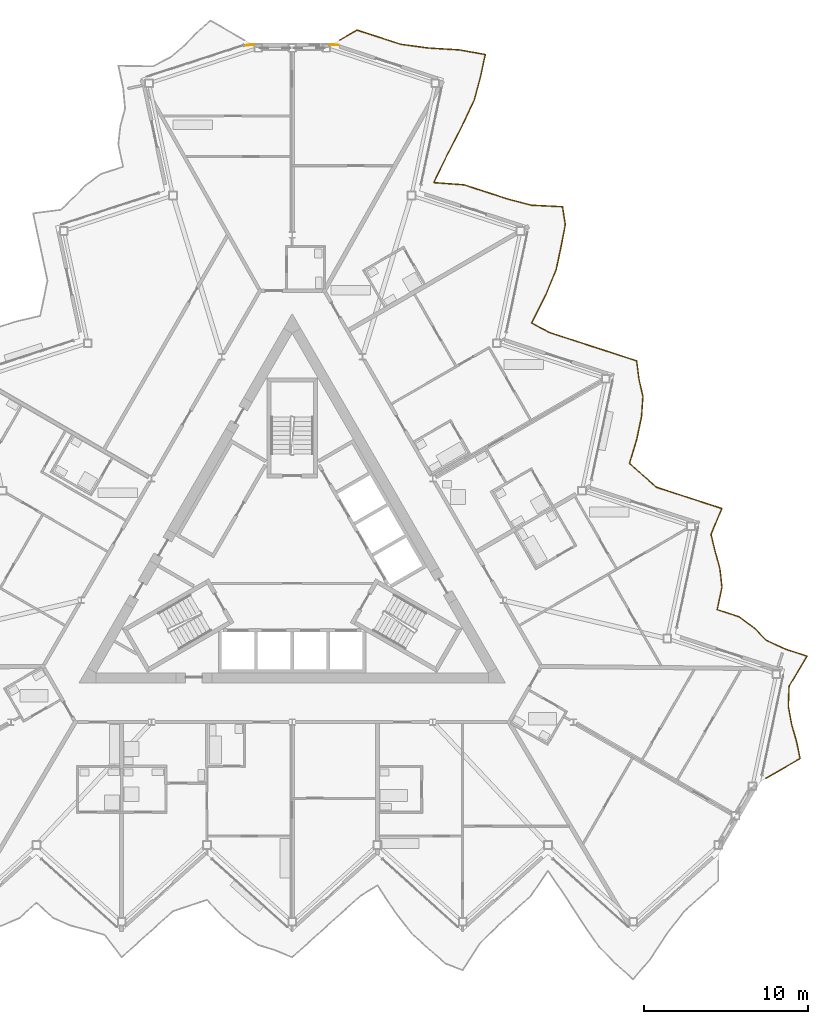
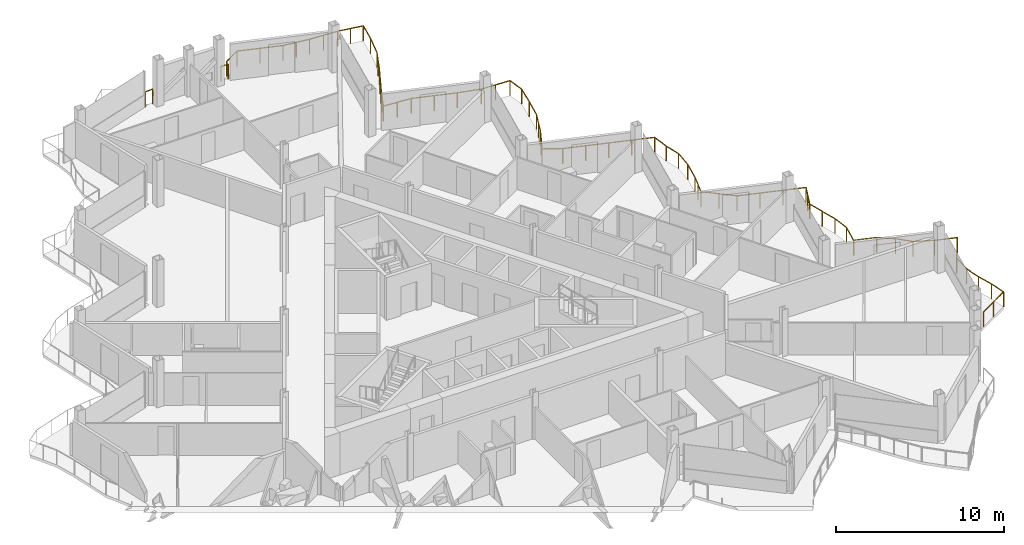
# One storey, part 24 of 26: 3 railings.
"""IFC4 building model written with IfcOpenShell, lengths in metres."""

from ifc_helpers import new_model, si_unit, direction, frame, origin, origin_2d, place, context, subcontext, project, spatial, circle, extrude, material, type_object, element, save


model = new_model("IFC4")

# Units and contexts
model_context = context("Model", 3, precision=1e-05, world=origin(), true_north=direction((0.0, 1.0)))
body_context = subcontext(model_context, "Body", "Model", "MODEL_VIEW")
ifc_project = project(units=[si_unit("LENGTHUNIT", "METRE"), si_unit("AREAUNIT", "SQUARE_METRE"), si_unit("VOLUMEUNIT", "CUBIC_METRE"), si_unit("PLANEANGLEUNIT", "RADIAN"), si_unit("MASSUNIT", "GRAM", prefix="KILO")], contexts=[model_context])

# Site, building, storey
site_placement = place(None, origin())
site = spatial("IfcSite", under=ifc_project, at=site_placement, CompositionType="ELEMENT")
building_placement = place(site_placement, origin())
building = spatial("IfcBuilding", under=site, at=building_placement, Name="Cormorant Prow Tower", CompositionType="ELEMENT")
storey_placement = place(building_placement, frame((0.0, 0.0, 371.199951171875)))
storey = spatial("IfcBuildingStorey", under=building, at=storey_placement, Name="L83", CompositionType="ELEMENT", Elevation=371.199951171875)

# Railings
ifc_material_1 = material(Name="Aluminium 6063-T6", Category="aluminium")
railing_type_1 = type_object("IfcRailingType", Name="Balcony guard 1100", PredefinedType="GUARDRAIL", material=ifc_material_1)
railing_1_placement = place(storey_placement, frame((28.9033203125, -13.3349609375, 0.0)))
element("IfcRailing", 1, at=railing_1_placement, inside=storey, type_object=railing_type_1, Name="Balcony guard ENE", PredefinedType="GUARDRAIL", context=body_context, shape_type="SweptSolid", body=[
    extrude(circle(Radius=0.02392578125, at=origin_2d()), frame((0.0, 0.0, 1.076171875), z_axis=(0.866028295127, 0.499994992015, 0.0), x_axis=(-0.499994992015, 0.866028295127, 0.0)), (0.0, 0.0, 1.0), 2.40380859375),
    extrude(circle(Radius=0.02392578125, at=origin_2d()), frame((2.081787109375, 1.201904296875, 1.076171875), z_axis=(-0.202325602869, 0.979318309041, 0.0), x_axis=(-0.979318309041, -0.202325602869, 0.0)), (0.0, 0.0, 1.0), 1.095703125),
    extrude(circle(Radius=0.02392578125, at=origin_2d()), frame((1.860107421875, 2.27490234375, 1.076171875), z_axis=(-0.276104892349, 0.961127508929, 0.0), x_axis=(-0.961127508929, -0.276104892349, 0.0)), (0.0, 0.0, 1.0), 1.07177734375),
    extrude(circle(Radius=0.02392578125, at=origin_2d()), frame((1.564208984375, 3.304931640625, 1.076171875), z_axis=(-0.179041046947, 0.983841604888, 0.0), x_axis=(-0.983841604888, -0.179041046947, 0.0)), (0.0, 0.0, 1.0), 1.1044921875),
    extrude(circle(Radius=0.02392578125, at=origin_2d()), frame((1.366455078125, 4.3916015625, 1.076171875), z_axis=(0.036393784558, 0.999337526787, 0.0), x_axis=(-0.999337526787, 0.036393784558, 0.0)), (0.0, 0.0, 1.0), 1.2275390625),
    extrude(circle(Radius=0.02392578125, at=origin_2d()), frame((1.4111328125, 5.618408203125, 1.076171875), z_axis=(0.513992423675, 0.857794723932, 0.0), x_axis=(-0.857794723932, 0.513992423675, 0.0)), (0.0, 0.0, 1.0), 2.140380859375),
    extrude(circle(Radius=0.02392578125, at=origin_2d()), frame((2.51123046875, 7.454345703125, 1.076171875), z_axis=(-0.951012270488, 0.309153135811, 0.0), x_axis=(-0.309153135811, -0.951012270488, 0.0)), (0.0, 0.0, 1.0), 1.3994140625),
    extrude(circle(Radius=0.02392578125, at=origin_2d()), frame((1.180419921875, 7.886962890625, 1.076171875), z_axis=(-0.908513727813, 0.417855006402, 0.0), x_axis=(-0.417855006402, -0.908513727813, 0.0)), (0.0, 0.0, 1.0), 1.2744140625),
    extrude(circle(Radius=0.02392578125, at=origin_2d()), frame((0.022705078125, 8.41943359375, 1.076171875), z_axis=(-0.702205596006, 0.71197422772, 0.0), x_axis=(-0.71197422772, -0.702205596006, 0.0)), (0.0, 0.0, 1.0), 1.07470703125),
    extrude(circle(Radius=0.02392578125, at=origin_2d()), frame((-0.73193359375, 9.1845703125, 1.076171875), z_axis=(-0.803679218866, 0.595062780859, 0.0), x_axis=(-0.595062780859, -0.803679218866, 0.0)), (0.0, 0.0, 1.0), 1.134033203125),
    extrude(circle(Radius=0.02392578125, at=origin_2d()), frame((-1.643310546875, 9.859375, 1.076171875), z_axis=(-0.951080208938, 0.308944066403, 0.0), x_axis=(-0.308944066403, -0.951080208938, 0.0)), (0.0, 0.0, 1.0), 1.3994140625),
    extrude(circle(Radius=0.02392578125, at=origin_2d()), frame((-2.974365234375, 10.291748046875, 1.076171875), z_axis=(0.207944297815, 0.978140669335, 0.0), x_axis=(-0.978140669335, 0.207944297815, 0.0)), (0.0, 0.0, 1.0), 1.3994140625),
    extrude(circle(Radius=0.02392578125, at=origin_2d()), frame((-2.683349609375, 11.66064453125, 1.076171875), z_axis=(-0.109629324319, 0.993972540491, 0.0), x_axis=(-0.993972540491, -0.109629324319, 0.0)), (0.0, 0.0, 1.0), 1.1357421875),
    extrude(circle(Radius=0.02392578125, at=origin_2d()), frame((-2.807861328125, 12.78955078125, 1.076171875), z_axis=(-0.265019247186, 0.964243122154, 0.0), x_axis=(-0.964243122154, -0.265019247186, 0.0)), (0.0, 0.0, 1.0), 1.074951171875),
    extrude(circle(Radius=0.02392578125, at=origin_2d()), frame((-3.0927734375, 13.826171875, 1.076171875), z_axis=(-0.240942814377, 0.970539314093, 0.0), x_axis=(-0.970539314093, -0.240942814377, 0.0)), (0.0, 0.0, 1.0), 1.082275390625),
    extrude(circle(Radius=0.02392578125, at=origin_2d()), frame((-3.353515625, 14.87646484375, 1.076171875), z_axis=(0.386843594076, 0.922145343057, 0.0), x_axis=(-0.922145343057, 0.386843594076, 0.0)), (0.0, 0.0, 1.0), 1.718505859375),
    extrude(circle(Radius=0.02392578125, at=origin_2d()), frame((-2.688720703125, 16.461181640625, 1.076171875), z_axis=(-0.951063554534, 0.308995332064, 0.0), x_axis=(-0.308995332064, -0.951063554534, 0.0)), (0.0, 0.0, 1.0), 1.399169921875),
    extrude(circle(Radius=0.02392578125, at=origin_2d()), frame((-4.01953125, 16.8935546875, 1.076171875), z_axis=(-0.951080208938, 0.308944066403, 0.0), x_axis=(-0.308944066403, -0.951080208938, 0.0)), (0.0, 0.0, 1.0), 1.3994140625),
    extrude(circle(Radius=0.02392578125, at=origin_2d()), frame((-5.3505859375, 17.325927734375, 1.076171875), z_axis=(-0.951028941009, 0.309101849499, 0.0), x_axis=(-0.309101849499, -0.951028941009, 0.0)), (0.0, 0.0, 1.0), 1.399658203125),
    extrude(circle(Radius=0.02392578125, at=origin_2d()), frame((-6.681640625, 17.758544921875, 1.076171875), z_axis=(-0.749896296712, 0.661555397663, 0.0), x_axis=(-0.661555397663, -0.749896296712, 0.0)), (0.0, 0.0, 1.0), 1.09716796875),
    extrude(circle(Radius=0.02392578125, at=origin_2d()), frame((-7.50439453125, 18.484375, 1.076171875), z_axis=(-0.746202638574, 0.665718876242, 0.0), x_axis=(-0.665718876242, -0.746202638574, 0.0)), (0.0, 0.0, 1.0), 1.094970703125),
    extrude(circle(Radius=0.02392578125, at=origin_2d()), frame((-8.321533203125, 19.21337890625, 1.076171875), z_axis=(0.288601434171, 0.957449326176, 0.0), x_axis=(-0.957449326176, 0.288601434171, 0.0)), (0.0, 0.0, 1.0), 1.5185546875),
    extrude(circle(Radius=0.02392578125, at=origin_2d()), frame((-7.88330078125, 20.667236328125, 1.076171875), z_axis=(0.20777738218, 0.978176139279, 0.0), x_axis=(-0.978176139279, 0.20777738218, 0.0)), (0.0, 0.0, 1.0), 1.3994140625),
    extrude(circle(Radius=0.02392578125, at=origin_2d()), frame((-7.592529296875, 22.0361328125, 1.076171875), z_axis=(0.0707909509, 0.99749117353, 0.0), x_axis=(-0.99749117353, 0.0707909509, 0.0)), (0.0, 0.0, 1.0), 1.25537109375),
    extrude(circle(Radius=0.02392578125, at=origin_2d()), frame((-7.503662109375, 23.288330078125, 1.076171875), z_axis=(-0.221795575356, 0.975093186702, 0.0), x_axis=(-0.975093186702, -0.221795575356, 0.0)), (0.0, 0.0, 1.0), 1.088623046875),
    extrude(circle(Radius=0.02392578125, at=origin_2d()), frame((-7.7451171875, 24.349853515625, 1.076171875), z_axis=(-0.127366491719, 0.991855723776, 0.0), x_axis=(-0.991855723776, -0.127366491719, 0.0)), (0.0, 0.0, 1.0), 1.127197265625),
    extrude(circle(Radius=0.02392578125, at=origin_2d()), frame((-7.888671875, 25.4677734375, 1.076171875), z_axis=(-0.951080208938, 0.308944066403, 0.0), x_axis=(-0.308944066403, -0.951080208938, 0.0)), (0.0, 0.0, 1.0), 1.3994140625),
    extrude(circle(Radius=0.02392578125, at=origin_2d()), frame((-9.2197265625, 25.900146484375, 1.076171875), z_axis=(-0.951012270488, 0.309153135811, 0.0), x_axis=(-0.309153135811, -0.951012270488, 0.0)), (0.0, 0.0, 1.0), 1.3994140625),
    extrude(circle(Radius=0.02392578125, at=origin_2d()), frame((-10.550537109375, 26.332763671875, 1.076171875), z_axis=(-0.951080208938, 0.308944066403, 0.0), x_axis=(-0.308944066403, -0.951080208938, 0.0)), (0.0, 0.0, 1.0), 1.3994140625),
    extrude(circle(Radius=0.02392578125, at=origin_2d()), frame((-11.881591796875, 26.76513671875, 1.076171875), z_axis=(-0.951063554534, 0.308995332064, 0.0), x_axis=(-0.308995332064, -0.951063554534, 0.0)), (0.0, 0.0, 1.0), 1.399169921875),
    extrude(circle(Radius=0.02392578125, at=origin_2d()), frame((-13.21240234375, 27.197509765625, 1.076171875), z_axis=(-0.88112376945, 0.472885718658, 0.0), x_axis=(-0.472885718658, -0.88112376945, 0.0)), (0.0, 0.0, 1.0), 1.2236328125),
    extrude(circle(Radius=0.02392578125, at=origin_2d()), frame((-14.29052734375, 27.776123046875, 1.076171875), z_axis=(0.451217643657, 0.892413938737, 0.0), x_axis=(-0.892413938737, 0.451217643657, 0.0)), (0.0, 0.0, 1.0), 1.900146484375),
    extrude(circle(Radius=0.02392578125, at=origin_2d()), frame((-13.43310546875, 29.471923828125, 1.076171875), z_axis=(0.377635149008, 0.925954477409, 0.0), x_axis=(-0.925954477409, 0.377635149008, 0.0)), (0.0, 0.0, 1.0), 1.696533203125),
    extrude(circle(Radius=0.02392578125, at=origin_2d()), frame((-12.79248046875, 31.042724609375, 1.076171875), z_axis=(0.207944297815, 0.978140669335, 0.0), x_axis=(-0.978140669335, 0.207944297815, 0.0)), (0.0, 0.0, 1.0), 1.3994140625),
    extrude(circle(Radius=0.02392578125, at=origin_2d()), frame((-12.50146484375, 32.41162109375, 1.076171875), z_axis=(0.190181724956, 0.981748904503, 0.0), x_axis=(-0.981748904503, 0.190181724956, 0.0)), (0.0, 0.0, 1.0), 1.37744140625),
    extrude(circle(Radius=0.02392578125, at=origin_2d()), frame((-12.239501953125, 33.763916015625, 1.076171875), z_axis=(-0.15020043655, 0.988655566343, 0.0), x_axis=(-0.988655566343, -0.15020043655, 0.0)), (0.0, 0.0, 1.0), 1.11669921875),
    extrude(circle(Radius=0.02392578125, at=origin_2d()), frame((-12.4072265625, 34.867919921875, 1.076171875), z_axis=(-0.998745657761, 0.050071060531, 0.0), x_axis=(-0.050071060531, -0.998745657761, 0.0)), (0.0, 0.0, 1.0), 1.916259765625),
    extrude(circle(Radius=0.02392578125, at=origin_2d()), frame((-14.321044921875, 34.9638671875, 1.076171875), z_axis=(-0.96719850901, 0.254021739559, 0.0), x_axis=(-0.254021739559, -0.96719850901, 0.0)), (0.0, 0.0, 1.0), 1.478271484375),
    extrude(circle(Radius=0.02392578125, at=origin_2d()), frame((-15.750732421875, 35.33935546875, 1.076171875), z_axis=(-0.951063554534, 0.308995332064, 0.0), x_axis=(-0.308995332064, -0.951063554534, 0.0)), (0.0, 0.0, 1.0), 1.399169921875),
    extrude(circle(Radius=0.02392578125, at=origin_2d()), frame((-17.08154296875, 35.771728515625, 1.076171875), z_axis=(-0.951028941009, 0.309101849499, 0.0), x_axis=(-0.309101849499, -0.951028941009, 0.0)), (0.0, 0.0, 1.0), 1.399658203125),
    extrude(circle(Radius=0.02392578125, at=origin_2d()), frame((-18.41259765625, 36.204345703125, 1.076171875), z_axis=(-0.997259818813, 0.073978738712, 0.0), x_axis=(-0.073978738712, -0.997259818813, 0.0)), (0.0, 0.0, 1.0), 1.84814453125),
    extrude(circle(Radius=0.02392578125, at=origin_2d()), frame((-20.255615234375, 36.341064453125, 1.076171875), z_axis=(0.433887187324, 0.900967207326, 0.0), x_axis=(-0.900967207326, 0.433887187324, 0.0)), (0.0, 0.0, 1.0), 1.84619140625),
    extrude(circle(Radius=0.02392578125, at=origin_2d()), frame((-19.45458984375, 38.00439453125, 1.076171875), z_axis=(0.457304922398, 0.889309961684, 0.0), x_axis=(-0.889309961684, 0.457304922398, 0.0)), (0.0, 0.0, 1.0), 1.92041015625),
    extrude(circle(Radius=0.02392578125, at=origin_2d()), frame((-18.576416015625, 39.712158203125, 1.076171875), z_axis=(0.427828029535, 0.903860153533, 0.0), x_axis=(-0.903860153533, 0.427828029535, 0.0)), (0.0, 0.0, 1.0), 1.828369140625),
    extrude(circle(Radius=0.02392578125, at=origin_2d()), frame((-17.794189453125, 41.36474609375, 1.076171875), z_axis=(0.260466628083, 0.965482851042, 0.0), x_axis=(-0.965482851042, 0.260466628083, 0.0)), (0.0, 0.0, 1.0), 1.473388671875),
    extrude(circle(Radius=0.02392578125, at=origin_2d()), frame((-17.410400390625, 42.787353515625, 1.076171875), z_axis=(0.207812845083, 0.978168605823, 0.0), x_axis=(-0.978168605823, 0.207812845083, 0.0)), (0.0, 0.0, 1.0), 1.399169921875),
    extrude(circle(Radius=0.02392578125, at=origin_2d()), frame((-17.11962890625, 44.156005859375, 1.076171875), z_axis=(-0.984969623466, 0.172727649348, 0.0), x_axis=(-0.172727649348, -0.984969623466, 0.0)), (0.0, 0.0, 1.0), 1.619873046875),
    extrude(circle(Radius=0.02392578125, at=origin_2d()), frame((-18.715087890625, 44.435791015625, 1.076171875), z_axis=(-0.998119075428, 0.061305067222, 0.0), x_axis=(-0.061305067222, -0.998119075428, 0.0)), (0.0, 0.0, 1.0), 1.8837890625),
    extrude(circle(Radius=0.02392578125, at=origin_2d()), frame((-20.59521484375, 44.55126953125, 1.076171875), z_axis=(-0.991040222336, 0.133563758974, 0.0), x_axis=(-0.133563758974, -0.991040222336, 0.0)), (0.0, 0.0, 1.0), 1.70166015625),
    extrude(circle(Radius=0.02392578125, at=origin_2d()), frame((-22.28173828125, 44.778564453125, 1.076171875), z_axis=(-0.951063554534, 0.308995332064, 0.0), x_axis=(-0.308995332064, -0.951063554534, 0.0)), (0.0, 0.0, 1.0), 1.399169921875),
    extrude(circle(Radius=0.02392578125, at=origin_2d()), frame((-23.612548828125, 45.2109375, 1.076171875), z_axis=(-0.951080208938, 0.308944066403, 0.0), x_axis=(-0.308944066403, -0.951080208938, 0.0)), (0.0, 0.0, 1.0), 1.3994140625),
    extrude(circle(Radius=0.02392578125, at=origin_2d()), frame((-24.943603515625, 45.643310546875, 1.076171875), z_axis=(-0.866042269935, -0.499970785833, 0.0), x_axis=(0.499970785833, -0.866042269935, 0.0)), (0.0, 0.0, 1.0), 1.2197265625),
    extrude(circle(Radius=0.02099609375, at=origin_2d()), origin(), (0.0, 0.0, 1.0), 1.052001953125),
    extrude(circle(Radius=0.02099609375, at=origin_2d()), frame((1.041015625, 0.60107421875, 0.0)), (0.0, 0.0, 1.0), 1.052001953125),
    extrude(circle(Radius=0.02099609375, at=origin_2d()), frame((2.081787109375, 1.201904296875, 0.0)), (0.0, 0.0, 1.0), 1.052001953125),
    extrude(circle(Radius=0.02099609375, at=origin_2d()), frame((1.860107421875, 2.27490234375, 0.0)), (0.0, 0.0, 1.0), 1.052001953125),
    extrude(circle(Radius=0.02099609375, at=origin_2d()), frame((1.564208984375, 3.304931640625, 0.0)), (0.0, 0.0, 1.0), 1.052001953125),
    extrude(circle(Radius=0.02099609375, at=origin_2d()), frame((1.366455078125, 4.3916015625, 0.0)), (0.0, 0.0, 1.0), 1.052001953125),
    extrude(circle(Radius=0.02099609375, at=origin_2d()), frame((1.4111328125, 5.618408203125, 0.0)), (0.0, 0.0, 1.0), 1.052001953125),
    extrude(circle(Radius=0.02099609375, at=origin_2d()), frame((1.961181640625, 6.536376953125, 0.0)), (0.0, 0.0, 1.0), 1.052001953125),
    extrude(circle(Radius=0.02099609375, at=origin_2d()), frame((2.51123046875, 7.454345703125, 0.0)), (0.0, 0.0, 1.0), 1.052001953125),
    extrude(circle(Radius=0.02099609375, at=origin_2d()), frame((1.180419921875, 7.886962890625, 0.0)), (0.0, 0.0, 1.0), 1.052001953125),
    extrude(circle(Radius=0.02099609375, at=origin_2d()), frame((0.022705078125, 8.41943359375, 0.0)), (0.0, 0.0, 1.0), 1.052001953125),
    extrude(circle(Radius=0.02099609375, at=origin_2d()), frame((-0.73193359375, 9.1845703125, 0.0)), (0.0, 0.0, 1.0), 1.052001953125),
    extrude(circle(Radius=0.02099609375, at=origin_2d()), frame((-1.643310546875, 9.859375, 0.0)), (0.0, 0.0, 1.0), 1.052001953125),
    extrude(circle(Radius=0.02099609375, at=origin_2d()), frame((-2.974365234375, 10.291748046875, 0.0)), (0.0, 0.0, 1.0), 1.052001953125),
    extrude(circle(Radius=0.02099609375, at=origin_2d()), frame((-2.683349609375, 11.66064453125, 0.0)), (0.0, 0.0, 1.0), 1.052001953125),
    extrude(circle(Radius=0.02099609375, at=origin_2d()), frame((-2.807861328125, 12.78955078125, 0.0)), (0.0, 0.0, 1.0), 1.052001953125),
    extrude(circle(Radius=0.02099609375, at=origin_2d()), frame((-3.0927734375, 13.826171875, 0.0)), (0.0, 0.0, 1.0), 1.052001953125),
    extrude(circle(Radius=0.02099609375, at=origin_2d()), frame((-3.353515625, 14.87646484375, 0.0)), (0.0, 0.0, 1.0), 1.052001953125),
    extrude(circle(Radius=0.02099609375, at=origin_2d()), frame((-3.02099609375, 15.6689453125, 0.0)), (0.0, 0.0, 1.0), 1.052001953125),
    extrude(circle(Radius=0.02099609375, at=origin_2d()), frame((-2.688720703125, 16.461181640625, 0.0)), (0.0, 0.0, 1.0), 1.052001953125),
    extrude(circle(Radius=0.02099609375, at=origin_2d()), frame((-4.01953125, 16.8935546875, 0.0)), (0.0, 0.0, 1.0), 1.052001953125),
    extrude(circle(Radius=0.02099609375, at=origin_2d()), frame((-5.3505859375, 17.325927734375, 0.0)), (0.0, 0.0, 1.0), 1.052001953125),
    extrude(circle(Radius=0.02099609375, at=origin_2d()), frame((-6.681640625, 17.758544921875, 0.0)), (0.0, 0.0, 1.0), 1.052001953125),
    extrude(circle(Radius=0.02099609375, at=origin_2d()), frame((-7.50439453125, 18.484375, 0.0)), (0.0, 0.0, 1.0), 1.052001953125),
    extrude(circle(Radius=0.02099609375, at=origin_2d()), frame((-8.321533203125, 19.21337890625, 0.0)), (0.0, 0.0, 1.0), 1.052001953125),
    extrude(circle(Radius=0.02099609375, at=origin_2d()), frame((-8.1025390625, 19.9404296875, 0.0)), (0.0, 0.0, 1.0), 1.052001953125),
    extrude(circle(Radius=0.02099609375, at=origin_2d()), frame((-7.88330078125, 20.667236328125, 0.0)), (0.0, 0.0, 1.0), 1.052001953125),
    extrude(circle(Radius=0.02099609375, at=origin_2d()), frame((-7.592529296875, 22.0361328125, 0.0)), (0.0, 0.0, 1.0), 1.052001953125),
    extrude(circle(Radius=0.02099609375, at=origin_2d()), frame((-7.503662109375, 23.288330078125, 0.0)), (0.0, 0.0, 1.0), 1.052001953125),
    extrude(circle(Radius=0.02099609375, at=origin_2d()), frame((-7.7451171875, 24.349853515625, 0.0)), (0.0, 0.0, 1.0), 1.052001953125),
    extrude(circle(Radius=0.02099609375, at=origin_2d()), frame((-7.888671875, 25.4677734375, 0.0)), (0.0, 0.0, 1.0), 1.052001953125),
    extrude(circle(Radius=0.02099609375, at=origin_2d()), frame((-9.2197265625, 25.900146484375, 0.0)), (0.0, 0.0, 1.0), 1.052001953125),
    extrude(circle(Radius=0.02099609375, at=origin_2d()), frame((-10.550537109375, 26.332763671875, 0.0)), (0.0, 0.0, 1.0), 1.052001953125),
    extrude(circle(Radius=0.02099609375, at=origin_2d()), frame((-11.881591796875, 26.76513671875, 0.0)), (0.0, 0.0, 1.0), 1.052001953125),
    extrude(circle(Radius=0.02099609375, at=origin_2d()), frame((-13.21240234375, 27.197509765625, 0.0)), (0.0, 0.0, 1.0), 1.052001953125),
    extrude(circle(Radius=0.02099609375, at=origin_2d()), frame((-14.29052734375, 27.776123046875, 0.0)), (0.0, 0.0, 1.0), 1.052001953125),
    extrude(circle(Radius=0.02099609375, at=origin_2d()), frame((-13.86181640625, 28.6240234375, 0.0)), (0.0, 0.0, 1.0), 1.052001953125),
    extrude(circle(Radius=0.02099609375, at=origin_2d()), frame((-13.43310546875, 29.471923828125, 0.0)), (0.0, 0.0, 1.0), 1.052001953125),
    extrude(circle(Radius=0.02099609375, at=origin_2d()), frame((-13.11279296875, 30.25732421875, 0.0)), (0.0, 0.0, 1.0), 1.052001953125),
    extrude(circle(Radius=0.02099609375, at=origin_2d()), frame((-12.79248046875, 31.042724609375, 0.0)), (0.0, 0.0, 1.0), 1.052001953125),
    extrude(circle(Radius=0.02099609375, at=origin_2d()), frame((-12.50146484375, 32.41162109375, 0.0)), (0.0, 0.0, 1.0), 1.052001953125),
    extrude(circle(Radius=0.02099609375, at=origin_2d()), frame((-12.239501953125, 33.763916015625, 0.0)), (0.0, 0.0, 1.0), 1.052001953125),
    extrude(circle(Radius=0.02099609375, at=origin_2d()), frame((-12.4072265625, 34.867919921875, 0.0)), (0.0, 0.0, 1.0), 1.052001953125),
    extrude(circle(Radius=0.02099609375, at=origin_2d()), frame((-13.3642578125, 34.916015625, 0.0)), (0.0, 0.0, 1.0), 1.052001953125),
    extrude(circle(Radius=0.02099609375, at=origin_2d()), frame((-14.321044921875, 34.9638671875, 0.0)), (0.0, 0.0, 1.0), 1.052001953125),
    extrude(circle(Radius=0.02099609375, at=origin_2d()), frame((-15.750732421875, 35.33935546875, 0.0)), (0.0, 0.0, 1.0), 1.052001953125),
    extrude(circle(Radius=0.02099609375, at=origin_2d()), frame((-17.08154296875, 35.771728515625, 0.0)), (0.0, 0.0, 1.0), 1.052001953125),
    extrude(circle(Radius=0.02099609375, at=origin_2d()), frame((-18.41259765625, 36.204345703125, 0.0)), (0.0, 0.0, 1.0), 1.052001953125),
    extrude(circle(Radius=0.02099609375, at=origin_2d()), frame((-19.333984375, 36.272705078125, 0.0)), (0.0, 0.0, 1.0), 1.052001953125),
    extrude(circle(Radius=0.02099609375, at=origin_2d()), frame((-20.255615234375, 36.341064453125, 0.0)), (0.0, 0.0, 1.0), 1.052001953125),
    extrude(circle(Radius=0.02099609375, at=origin_2d()), frame((-19.85498046875, 37.1728515625, 0.0)), (0.0, 0.0, 1.0), 1.052001953125),
    extrude(circle(Radius=0.02099609375, at=origin_2d()), frame((-19.45458984375, 38.00439453125, 0.0)), (0.0, 0.0, 1.0), 1.052001953125),
    extrude(circle(Radius=0.02099609375, at=origin_2d()), frame((-19.015625, 38.8583984375, 0.0)), (0.0, 0.0, 1.0), 1.052001953125),
    extrude(circle(Radius=0.02099609375, at=origin_2d()), frame((-18.576416015625, 39.712158203125, 0.0)), (0.0, 0.0, 1.0), 1.052001953125),
    extrude(circle(Radius=0.02099609375, at=origin_2d()), frame((-18.185302734375, 40.53857421875, 0.0)), (0.0, 0.0, 1.0), 1.052001953125),
    extrude(circle(Radius=0.02099609375, at=origin_2d()), frame((-17.794189453125, 41.36474609375, 0.0)), (0.0, 0.0, 1.0), 1.052001953125),
    extrude(circle(Radius=0.02099609375, at=origin_2d()), frame((-17.410400390625, 42.787353515625, 0.0)), (0.0, 0.0, 1.0), 1.052001953125),
    extrude(circle(Radius=0.02099609375, at=origin_2d()), frame((-17.11962890625, 44.156005859375, 0.0)), (0.0, 0.0, 1.0), 1.052001953125),
    extrude(circle(Radius=0.02099609375, at=origin_2d()), frame((-17.91748046875, 44.2958984375, 0.0)), (0.0, 0.0, 1.0), 1.052001953125),
    extrude(circle(Radius=0.02099609375, at=origin_2d()), frame((-18.715087890625, 44.435791015625, 0.0)), (0.0, 0.0, 1.0), 1.052001953125),
    extrude(circle(Radius=0.02099609375, at=origin_2d()), frame((-19.6552734375, 44.49365234375, 0.0)), (0.0, 0.0, 1.0), 1.052001953125),
    extrude(circle(Radius=0.02099609375, at=origin_2d()), frame((-20.59521484375, 44.55126953125, 0.0)), (0.0, 0.0, 1.0), 1.052001953125),
    extrude(circle(Radius=0.02099609375, at=origin_2d()), frame((-21.4384765625, 44.6650390625, 0.0)), (0.0, 0.0, 1.0), 1.052001953125),
    extrude(circle(Radius=0.02099609375, at=origin_2d()), frame((-22.28173828125, 44.778564453125, 0.0)), (0.0, 0.0, 1.0), 1.052001953125),
    extrude(circle(Radius=0.02099609375, at=origin_2d()), frame((-23.612548828125, 45.2109375, 0.0)), (0.0, 0.0, 1.0), 1.052001953125),
    extrude(circle(Radius=0.02099609375, at=origin_2d()), frame((-24.943603515625, 45.643310546875, 0.0)), (0.0, 0.0, 1.0), 1.052001953125),
    extrude(circle(Radius=0.02099609375, at=origin_2d()), frame((-26.0, 45.033447265625, 0.0)), (0.0, 0.0, 1.0), 1.052001953125),
])
ifc_material_2 = material(Name="Stainless steel", Category="steel")
railing_type_2 = type_object("IfcRailingType", Name="Facade corner guard 1100", PredefinedType="GUARDRAIL", material=ifc_material_2)
railing_2_placement = place(storey_placement, frame((-2.85595703125, 31.3720703125, 0.0)))
element("IfcRailing", 2, at=railing_2_placement, inside=storey, type_object=railing_type_2, Name="Facade corner guard L83 1", PredefinedType="GUARDRAIL", context=body_context, shape_type="SweptSolid", body=[
    extrude(circle(Radius=0.02392578125, at=origin_2d()), frame((0.0, 0.0, 1.076171875), z_axis=(0.996809232767, 0.079820758391, 0.0), x_axis=(-0.079820758391, 0.996809232767, 0.0)), (0.0, 0.0, 1.0), 0.513916015625),
    extrude(circle(Radius=0.02099609375, at=origin_2d()), origin(), (0.0, 0.0, 1.0), 1.052001953125),
    extrude(circle(Radius=0.02099609375, at=origin_2d()), frame((0.51220703125, 0.041015625, 0.0)), (0.0, 0.0, 1.0), 1.052001953125),
])
railing_3_placement = place(storey_placement, frame((2.34375, 31.410400390625, 0.0)))
element("IfcRailing", 3, at=railing_3_placement, inside=storey, type_object=railing_type_2, Name="Facade corner guard L83 2", PredefinedType="GUARDRAIL", context=body_context, shape_type="SweptSolid", body=[
    extrude(circle(Radius=0.02392578125, at=origin_2d()), frame((0.0, 0.0, 1.076171875), z_axis=(0.999217664146, -0.039548194122, 0.0), x_axis=(0.039548194122, 0.999217664146, 0.0)), (0.0, 0.0, 1.0), 0.48779296875),
    extrude(circle(Radius=0.02099609375, at=origin_2d()), origin(), (0.0, 0.0, 1.0), 1.052001953125),
    extrude(circle(Radius=0.02099609375, at=origin_2d()), frame((0.4873046875, -0.019287109375, 0.0)), (0.0, 0.0, 1.0), 1.052001953125),
])

save(model, "model.ifc")
